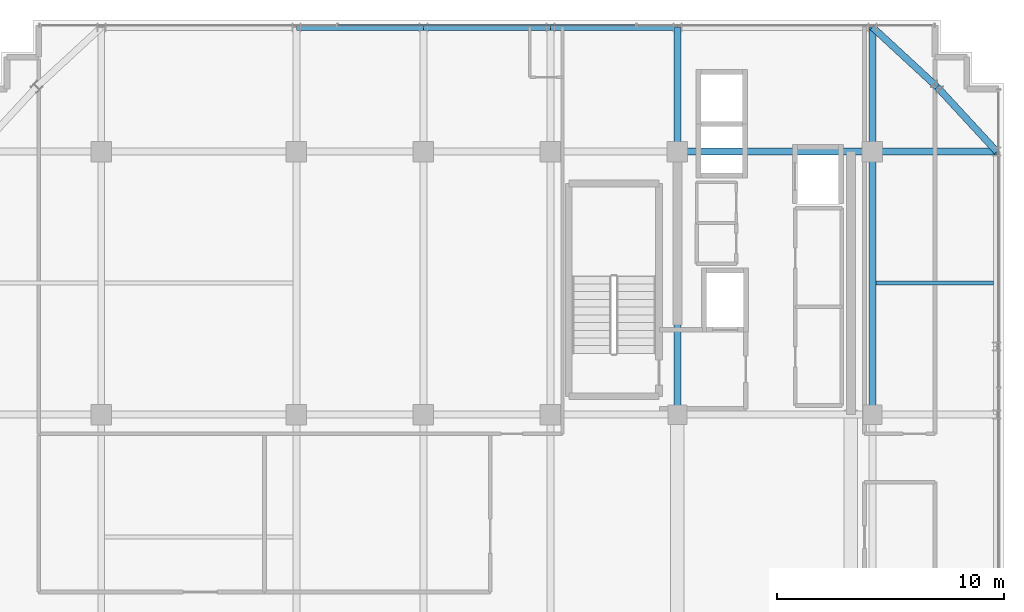
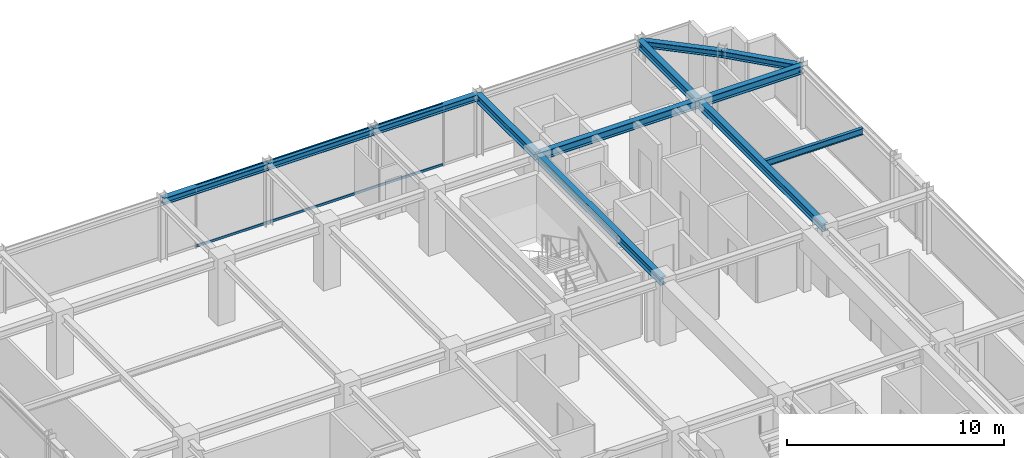
# One storey, part 21 of 31: 12 beams, 2 members, 1 element without a shape of its own.
"""IFC4 building model written with IfcOpenShell, lengths in metres."""

from ifc_helpers import new_model, si_unit, direction, frame, origin, origin_2d, place, context, subcontext, project, spatial, hollow_rectangle, i_section, extrude, source, transform, mapped, material, material_profile, profile_set, type_object, element, aggregate, save


model = new_model("IFC4")

# Units and contexts
model_context = context("Model", 3, precision=1e-05, world=origin(), true_north=direction((0.0, 1.0)))
body_context = subcontext(model_context, "Body", "Model", "MODEL_VIEW")
ifc_project = project(units=[si_unit("LENGTHUNIT", "METRE"), si_unit("AREAUNIT", "SQUARE_METRE"), si_unit("VOLUMEUNIT", "CUBIC_METRE"), si_unit("PLANEANGLEUNIT", "RADIAN"), si_unit("MASSUNIT", "GRAM", prefix="KILO")], contexts=[model_context])

# Site, building, storey
site_placement = place(None, origin())
site = spatial("IfcSite", under=ifc_project, at=site_placement, CompositionType="ELEMENT")
building_placement = place(site_placement, origin())
building = spatial("IfcBuilding", under=site, at=building_placement, Name="Nahalor Promenade Grand Hotel", CompositionType="ELEMENT")
storey_placement = place(building_placement, frame((0.0, 0.0, 323.35009765625)))
storey = spatial("IfcBuildingStorey", under=building, at=storey_placement, Name="L83", CompositionType="ELEMENT", Elevation=323.35009765625)

# Beams
ifc_material_1 = material(Name="Steel S355JR", Category="steel")
ifc_material_profile_1 = material_profile(ifc_material_1, i_section(OverallWidth=0.3, OverallDepth=0.45, WebThickness=0.014, FlangeThickness=0.026, at=origin_2d()), Name="HEB 450")
ifc_profile_set_1 = profile_set([ifc_material_profile_1], Name="Steel S355JR")
beam_type_1 = type_object("IfcBeamType", Name="Beam-Girder-HEB450", PredefinedType="BEAM", material=ifc_profile_set_1)
shared_shape_1 = source(origin(), body_context, "Body", "SweptSolid", [
    extrude(i_section(OverallWidth=0.3, OverallDepth=0.45, WebThickness=0.014, FlangeThickness=0.026, at=origin_2d()), origin(), (0.0, 0.0, 1.0), 8.60009765625),
])
beam_1_placement = place(storey_placement, frame((8.39990234375, 17.0, 3.27490234375), z_axis=(1.0, 0.0, 0.0), x_axis=(0.0, 1.0, 0.0)))
element("IfcBeam", 1, at=beam_1_placement, inside=storey, type_object=beam_type_1, Name="BM-L83-GX-3-5", PredefinedType="BEAM", context=body_context, shape_type="MappedRepresentation", body=[
    mapped(shared_shape_1, transform((0.0, 0.0, 0.0), scale=1.0)),
])
shared_shape_2 = source(origin(), body_context, "Body", "SweptSolid", [
    extrude(i_section(OverallWidth=0.3, OverallDepth=0.45, WebThickness=0.014, FlangeThickness=0.026, at=origin_2d()), origin(), (0.0, 0.0, 1.0), 11.60009765625),
])
for number, where, z_axis, x_axis, name in (
    (2, (8.39990234375, 5.39990234375, 3.27490234375), (0.0, 1.0, 0.0), (-1.0, 0.0, 0.0), "BM-L83-GY-4-3"),
    (3, (17.0, 5.39990234375, 3.27490234375), (0.0, 1.0, 0.0), (-1.0, 0.0, 0.0), "BM-L83-GY-5-3"),
):
    element("IfcBeam", number, at=place(storey_placement, frame(where, z_axis=z_axis, x_axis=x_axis)), inside=storey, type_object=beam_type_1, Name=name, PredefinedType="BEAM", context=body_context, shape_type="MappedRepresentation", body=[
        mapped(shared_shape_2, transform((0.0, 0.0, 0.0), scale=1.0)),
    ])
shared_shape_3 = source(origin(), body_context, "Body", "SweptSolid", [
    extrude(i_section(OverallWidth=0.3, OverallDepth=0.45, WebThickness=0.014, FlangeThickness=0.026, at=origin_2d()), origin(), (0.0, 0.0, 1.0), 5.47998046875),
])
for number, where, z_axis, x_axis, name in (
    (4, (17.0, 17.0, 3.27490234375), (1.0, 0.0, 0.0), (0.0, 1.0, 0.0), "BM-L83-GX-3-6"),
    (5, (8.39990234375, 17.0, 3.27490234375), (0.0, 1.0, 0.0), (-1.0, 0.0, 0.0), "BM-L83-GY-4-4"),
    (6, (17.0, 17.0, 3.27490234375), (0.0, 1.0, 0.0), (-1.0, 0.0, 0.0), "BM-L83-GY-5-4"),
):
    element("IfcBeam", number, at=place(storey_placement, frame(where, z_axis=z_axis, x_axis=x_axis)), inside=storey, type_object=beam_type_1, Name=name, PredefinedType="BEAM", context=body_context, shape_type="MappedRepresentation", body=[
        mapped(shared_shape_3, transform((0.0, 0.0, 0.0), scale=1.0)),
    ])
ifc_material_profile_2 = material_profile(ifc_material_1, i_section(OverallWidth=0.3, OverallDepth=0.36, WebThickness=0.0125, FlangeThickness=0.0225, at=origin_2d()), Name="HEB 360")
ifc_profile_set_2 = profile_set([ifc_material_profile_2], Name="Steel S355JR")
beam_type_2 = type_object("IfcBeamType", Name="Beam-Spandrel-HEB360", PredefinedType="SPANDREL", material=ifc_profile_set_2)
shared_shape_4 = source(origin(), body_context, "Body", "SweptSolid", [
    extrude(i_section(OverallWidth=0.3, OverallDepth=0.36, WebThickness=0.0125, FlangeThickness=0.0225, at=origin_2d()), origin(), (0.0, 0.0, 1.0), 5.599853515625),
])
for number, where, z_axis, x_axis, name in (
    (7, (-8.39990234375, 22.47998046875, 3.31982421875), (1.0, 0.0, 0.0), (0.0, 1.0, 0.0), "BM-L83-SP-N-1"),
    (8, (2.800048828125, 22.47998046875, 3.31982421875), (1.0, 0.0, 0.0), (0.0, 1.0, 0.0), "BM-L83-SP-N-3"),
):
    element("IfcBeam", number, at=place(storey_placement, frame(where, z_axis=z_axis, x_axis=x_axis)), inside=storey, type_object=beam_type_2, Name=name, PredefinedType="SPANDREL", context=body_context, shape_type="MappedRepresentation", body=[
        mapped(shared_shape_4, transform((0.0, 0.0, 0.0), scale=1.0)),
    ])
shared_shape_5 = source(origin(), body_context, "Body", "SweptSolid", [
    extrude(i_section(OverallWidth=0.3, OverallDepth=0.36, WebThickness=0.0125, FlangeThickness=0.0225, at=origin_2d()), origin(), (0.0, 0.0, 1.0), 5.60009765625),
])
beam_2_placement = place(storey_placement, frame((-2.800048828125, 22.47998046875, 3.31982421875), z_axis=(1.0, 0.0, 0.0), x_axis=(0.0, 1.0, 0.0)))
element("IfcBeam", 9, at=beam_2_placement, inside=storey, type_object=beam_type_2, Name="BM-L83-SP-N-2", PredefinedType="SPANDREL", context=body_context, shape_type="MappedRepresentation", body=[
    mapped(shared_shape_5, transform((0.0, 0.0, 0.0), scale=1.0)),
])
shared_shape_6 = source(origin(), body_context, "Body", "SweptSolid", [
    extrude(i_section(OverallWidth=0.3, OverallDepth=0.36, WebThickness=0.0125, FlangeThickness=0.0225, at=origin_2d()), origin(), (0.0, 0.0, 1.0), 3.878173828125),
])
for number, where, z_axis, x_axis, name in (
    (10, (17.0, 22.47998046875, 3.31982421875), (0.73492893846, -0.678144125843, 0.0), (0.678144125843, 0.73492893846, 0.0), "BM-L83-SPC-NE-1"),
    (11, (19.85009765625, 19.85009765625, 3.31982421875), (0.678144125843, -0.73492893846, 0.0), (0.73492893846, 0.678144125843, 0.0), "BM-L83-SPC-NE-2"),
):
    element("IfcBeam", number, at=place(storey_placement, frame(where, z_axis=z_axis, x_axis=x_axis)), inside=storey, type_object=beam_type_2, Name=name, PredefinedType="SPANDREL", context=body_context, shape_type="MappedRepresentation", body=[
        mapped(shared_shape_6, transform((0.0, 0.0, 0.0), scale=1.0)),
    ])
ifc_material_profile_3 = material_profile(ifc_material_1, i_section(OverallWidth=0.17, OverallDepth=0.36, WebThickness=0.008, FlangeThickness=0.0127, at=origin_2d()), Name="IPE 360")
ifc_profile_set_3 = profile_set([ifc_material_profile_3], Name="Steel S355JR")
beam_type_3 = type_object("IfcBeamType", Name="Beam-Joist-IPE360", PredefinedType="JOIST", material=ifc_profile_set_3)
shared_shape_7 = source(origin(), body_context, "Body", "SweptSolid", [
    extrude(i_section(OverallWidth=0.17, OverallDepth=0.36, WebThickness=0.008, FlangeThickness=0.0127, at=origin_2d()), origin(), (0.0, 0.0, 1.0), 5.18017578125),
])
beam_3_placement = place(storey_placement, frame((17.14990234375, 11.199951171875, 3.31982421875), z_axis=(1.0, 0.0, 0.0), x_axis=(0.0, 1.0, 0.0)))
element("IfcBeam", 12, at=beam_3_placement, inside=storey, type_object=beam_type_3, Name="BM-L83-JSE-1-2", PredefinedType="JOIST", context=body_context, shape_type="MappedRepresentation", body=[
    mapped(shared_shape_7, transform((0.0, 0.0, 0.0), scale=1.0)),
])

# Curtain wall, members
ifc_material_2 = material(Name="Anodised Bronze Aluminium EN AW-6063 T6", Category="aluminium")
curtain_wall_type = type_object("IfcCurtainWallType", Name="CW2 Typical Hotel Flush Bronze Unitised Curtain Wall", PredefinedType="USERDEFINED", material=ifc_material_2)
curtain_wall_placement = place(storey_placement, origin())
curtain_wall = element("IfcCurtainWall", 13, at=curtain_wall_placement, inside=storey, type_object=curtain_wall_type, Name="L83 Curtain Wall CW-L83-N-1", ObjectType="UNITISED_CURTAIN_WALL", PredefinedType="USERDEFINED")
ifc_material_profile_4 = material_profile(ifc_material_2, hollow_rectangle(XDim=0.065, YDim=0.13, WallThickness=0.004, at=origin_2d()), Name="CWT 65x130x4")
ifc_profile_set_4 = profile_set([ifc_material_profile_4], Name="Anodised Bronze Aluminium EN AW-6063 T6")
member_type = type_object("IfcMemberType", Name="CWT2 Typical Bronze Transom 65x130", PredefinedType="USERDEFINED", material=ifc_profile_set_4)
shared_shape_8 = source(origin(), body_context, "Body", "SweptSolid", [
    extrude(hollow_rectangle(XDim=0.065, YDim=0.13, WallThickness=0.004, at=origin_2d()), origin(), (0.0, 0.0, 1.0), 13.1083984375),
])
member_1_placement = place(storey_placement, frame((-6.55419921875, 22.56005859375, 0.06494140625), z_axis=(1.0, 0.0, 0.0), x_axis=(0.0, 1.0, 0.0)))
member_1 = element("IfcMember", 14, at=member_1_placement, type_object=member_type, Name="CW-L83-N-1 Transom 1-0", ObjectType="TRANSOM", PredefinedType="USERDEFINED", context=body_context, shape_type="MappedRepresentation", body=[
    mapped(shared_shape_8, transform((0.0, 0.0, 0.0), scale=1.0)),
])
member_2_placement = place(storey_placement, frame((-6.55419921875, 22.56005859375, 3.434814453125), z_axis=(1.0, 0.0, 0.0), x_axis=(0.0, 1.0, 0.0)))
member_2 = element("IfcMember", 15, at=member_2_placement, type_object=member_type, Name="CW-L83-N-1 Transom 1-1", ObjectType="TRANSOM", PredefinedType="USERDEFINED", context=body_context, shape_type="MappedRepresentation", body=[
    mapped(shared_shape_8, transform((0.0, 0.0, 0.0), scale=1.0)),
])
aggregate(curtain_wall, [member_1, member_2])

save(model, "model.ifc")
